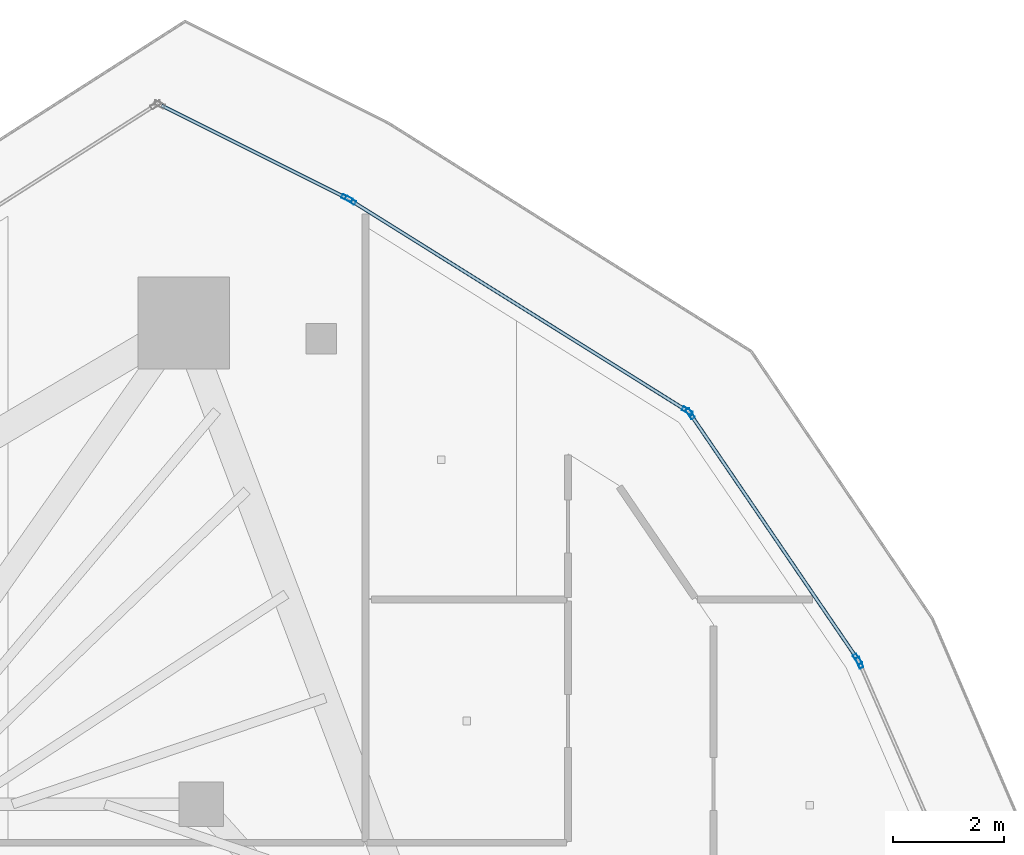
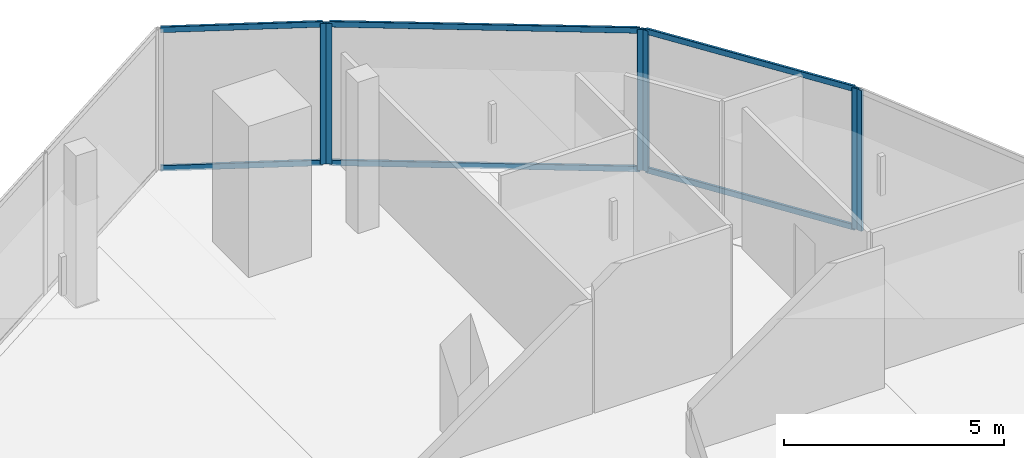
# One storey, part 21 of 34: 12 members, 4 elements without a shape of their own.
"""IFC4 building model written with IfcOpenShell, lengths in metres."""

from ifc_helpers import new_model, si_unit, direction, frame, origin, origin_2d, place, context, subcontext, project, spatial, hollow_rectangle, extrude, material, layer, layer_set, material_profile, profile_set, type_object, element, aggregate, save


model = new_model("IFC4")

# Units and contexts
model_context = context("Model", 3, precision=1e-05, world=origin(), true_north=direction((0.0, 1.0)))
body_context = subcontext(model_context, "Body", "Model", "MODEL_VIEW")
ifc_project = project(units=[si_unit("LENGTHUNIT", "METRE"), si_unit("AREAUNIT", "SQUARE_METRE"), si_unit("VOLUMEUNIT", "CUBIC_METRE"), si_unit("PLANEANGLEUNIT", "RADIAN"), si_unit("MASSUNIT", "GRAM", prefix="KILO")], contexts=[model_context])

# Site, building, storey
site_placement = place(None, origin())
site = spatial("IfcSite", under=ifc_project, at=site_placement, CompositionType="ELEMENT")
building_placement = place(site_placement, origin())
building = spatial("IfcBuilding", under=site, at=building_placement, Name="Qorvath Tower", CompositionType="ELEMENT")
storey_placement = place(building_placement, frame((0.0, 0.0, 268.199951171875)))
storey = spatial("IfcBuildingStorey", under=building, at=storey_placement, Name="L62", CompositionType="ELEMENT", Elevation=268.199951171875)

# Curtain wall, member
ifc_material_1 = material(Name="Anodised aluminium and triple low-E glass", Category="aluminium")
ifc_layer = layer(ifc_material_1, 0.179931640625)
ifc_layer_set = layer_set([ifc_layer], Name="CW-SYS-4")
curtain_wall_type = type_object("IfcCurtainWallType", Name="CW-SYS-4", PredefinedType="NOTDEFINED", material=ifc_layer_set)
curtain_wall_1_placement = place(storey_placement, origin())
curtain_wall_1 = element("IfcCurtainWall", 1, at=curtain_wall_1_placement, inside=storey, type_object=curtain_wall_type, Name="Curtain Wall CW-4 CW-T-L62-12.1", PredefinedType="NOTDEFINED")
ifc_material_2 = material(Name="Anodised aluminium 6063-T6", Category="aluminium")
ifc_material_profile_1 = material_profile(ifc_material_2, hollow_rectangle(XDim=0.074951171875, YDim=0.199951171875, WallThickness=0.00390625, InnerFilletRadius=0.00390625, OuterFilletRadius=0.008056640625, at=origin_2d()), Name="CWM 200x75")
ifc_profile_set_1 = profile_set([ifc_material_profile_1], Name="Anodised aluminium 6063-T6")
member_type_1 = type_object("IfcMemberType", Name="CWM-200", PredefinedType="MULLION", material=ifc_profile_set_1)
member_1_placement = place(storey_placement, frame((-5.365966796875, 13.994384765625, 0.0), z_axis=(0.0, 0.0, 1.0), x_axis=(-0.91655883173, -0.399899872441, 0.0)))
member_1 = element("IfcMember", 2, at=member_1_placement, type_object=member_type_1, Name="CW-4 mullion 2", PredefinedType="MULLION", context=body_context, shape_type="SweptSolid", body=[
    extrude(hollow_rectangle(XDim=0.074951171875, YDim=0.199951171875, WallThickness=0.00390625, InnerFilletRadius=0.00390625, OuterFilletRadius=0.008056640625, at=origin_2d()), origin(), (0.0, 0.0, 1.0), 3.91015625),
])
aggregate(curtain_wall_1, [member_1])

# Curtain wall, members
curtain_wall_2_placement = place(storey_placement, origin())
curtain_wall_2 = element("IfcCurtainWall", 3, at=curtain_wall_2_placement, inside=storey, type_object=curtain_wall_type, Name="Curtain Wall CW-4 CW-T-L62-13.1", PredefinedType="NOTDEFINED")
member_2_placement = place(storey_placement, frame((-5.402099609375, 14.059814453125, 0.0), z_axis=(0.0, 0.0, 1.0), x_axis=(-0.826318799643, -0.56320266455, 0.0)))
member_2 = element("IfcMember", 4, at=member_2_placement, type_object=member_type_1, Name="CW-4 mullion 1", PredefinedType="MULLION", context=body_context, shape_type="SweptSolid", body=[
    extrude(hollow_rectangle(XDim=0.074951171875, YDim=0.199951171875, WallThickness=0.00390625, InnerFilletRadius=0.00390625, OuterFilletRadius=0.008056640625, at=origin_2d()), origin(), (0.0, 0.0, 1.0), 3.91015625),
])
member_3_placement = place(storey_placement, frame((-8.407958984375, 18.47021484375, 0.0), z_axis=(0.0, 0.0, 1.0), x_axis=(-0.826318799643, -0.56320266455, 0.0)))
member_3 = element("IfcMember", 5, at=member_3_placement, type_object=member_type_1, Name="CW-4 mullion 2", PredefinedType="MULLION", context=body_context, shape_type="SweptSolid", body=[
    extrude(hollow_rectangle(XDim=0.074951171875, YDim=0.199951171875, WallThickness=0.00390625, InnerFilletRadius=0.00390625, OuterFilletRadius=0.008056640625, at=origin_2d()), origin(), (0.0, 0.0, 1.0), 3.91015625),
])

curtain_wall_3_placement = place(storey_placement, origin())
curtain_wall_3 = element("IfcCurtainWall", 6, at=curtain_wall_3_placement, inside=storey, type_object=curtain_wall_type, Name="Curtain Wall CW-4 CW-T-L62-14.1", PredefinedType="NOTDEFINED")
member_4_placement = place(storey_placement, frame((-8.4609375, 18.52099609375, 0.0), z_axis=(0.0, 0.0, 1.0), x_axis=(-0.530362503391, -0.84777096848, 0.0)))
member_4 = element("IfcMember", 7, at=member_4_placement, type_object=member_type_1, Name="CW-4 mullion 1", PredefinedType="MULLION", context=body_context, shape_type="SweptSolid", body=[
    extrude(hollow_rectangle(XDim=0.074951171875, YDim=0.199951171875, WallThickness=0.00390625, InnerFilletRadius=0.00390625, OuterFilletRadius=0.008056640625, at=origin_2d()), origin(), (0.0, 0.0, 1.0), 3.91015625),
])
member_5_placement = place(storey_placement, frame((-14.51708984375, 22.309814453125, 0.0), z_axis=(0.0, 0.0, 1.0), x_axis=(-0.530362503391, -0.84777096848, 0.0)))
member_5 = element("IfcMember", 8, at=member_5_placement, type_object=member_type_1, Name="CW-4 mullion 2", PredefinedType="MULLION", context=body_context, shape_type="SweptSolid", body=[
    extrude(hollow_rectangle(XDim=0.074951171875, YDim=0.199951171875, WallThickness=0.00390625, InnerFilletRadius=0.00390625, OuterFilletRadius=0.008056640625, at=origin_2d()), origin(), (0.0, 0.0, 1.0), 3.91015625),
])

# Curtain wall, member
curtain_wall_4_placement = place(storey_placement, origin())
curtain_wall_4 = element("IfcCurtainWall", 9, at=curtain_wall_4_placement, inside=storey, type_object=curtain_wall_type, Name="Curtain Wall CW-4 CW-T-L62-15.1", PredefinedType="NOTDEFINED")
member_6_placement = place(storey_placement, frame((-14.582275390625, 22.346435546875, 0.0), z_axis=(0.0, 0.0, 1.0), x_axis=(-0.447244838324, -0.894411568906, 0.0)))
member_6 = element("IfcMember", 10, at=member_6_placement, type_object=member_type_1, Name="CW-4 mullion 1", PredefinedType="MULLION", context=body_context, shape_type="SweptSolid", body=[
    extrude(hollow_rectangle(XDim=0.074951171875, YDim=0.199951171875, WallThickness=0.00390625, InnerFilletRadius=0.00390625, OuterFilletRadius=0.008056640625, at=origin_2d()), origin(), (0.0, 0.0, 1.0), 3.91015625),
])

# Member
ifc_material_3 = material(Name="Anodised aluminium 6063-T6", Category="aluminium")
ifc_material_profile_2 = material_profile(ifc_material_3, hollow_rectangle(XDim=0.06494140625, YDim=0.159912109375, WallThickness=0.00341796875, InnerFilletRadius=0.00341796875, OuterFilletRadius=0.007080078125, at=origin_2d()), Name="CWT 160x65")
ifc_profile_set_2 = profile_set([ifc_material_profile_2], Name="Anodised aluminium 6063-T6")
member_type_2 = type_object("IfcMemberType", Name="CWT-160", PredefinedType="USERDEFINED", material=ifc_profile_set_2)
member_7_placement = place(storey_placement, frame((-5.423095703125, 14.0908203125, 0.032470703125), z_axis=(-0.563214455362, 0.826310763134, 0.0), x_axis=(-0.826310763134, -0.563214455362, 0.0)))
member_7 = element("IfcMember", 11, at=member_7_placement, type_object=member_type_2, Name="CW-4 transom 1.1", ObjectType="TRANSOM", PredefinedType="USERDEFINED", context=body_context, shape_type="SweptSolid", body=[
    extrude(hollow_rectangle(XDim=0.06494140625, YDim=0.159912109375, WallThickness=0.00341796875, InnerFilletRadius=0.00341796875, OuterFilletRadius=0.007080078125, at=origin_2d()), origin(), (0.0, 0.0, 1.0), 5.262451171875),
])

member_8_placement = place(storey_placement, frame((-5.423095703125, 14.0908203125, 3.877685546875), z_axis=(-0.563214455362, 0.826310763134, 0.0), x_axis=(-0.826310763134, -0.563214455362, 0.0)))
member_8 = element("IfcMember", 12, at=member_8_placement, type_object=member_type_2, Name="CW-4 transom 1.2", ObjectType="TRANSOM", PredefinedType="USERDEFINED", context=body_context, shape_type="SweptSolid", body=[
    extrude(hollow_rectangle(XDim=0.06494140625, YDim=0.159912109375, WallThickness=0.00341796875, InnerFilletRadius=0.00341796875, OuterFilletRadius=0.007080078125, at=origin_2d()), origin(), (0.0, 0.0, 1.0), 5.262451171875),
])

aggregate(curtain_wall_2, [member_2, member_3, member_7, member_8])

member_9_placement = place(storey_placement, frame((-8.49267578125, 18.541015625, 0.032470703125), z_axis=(-0.847775079583, 0.53035593184, 0.0), x_axis=(-0.53035593184, -0.847775079583, 0.0)))
member_9 = element("IfcMember", 13, at=member_9_placement, type_object=member_type_2, Name="CW-4 transom 1.1", ObjectType="TRANSOM", PredefinedType="USERDEFINED", context=body_context, shape_type="SweptSolid", body=[
    extrude(hollow_rectangle(XDim=0.06494140625, YDim=0.159912109375, WallThickness=0.00341796875, InnerFilletRadius=0.00341796875, OuterFilletRadius=0.007080078125, at=origin_2d()), origin(), (0.0, 0.0, 1.0), 7.068359375),
])

member_10_placement = place(storey_placement, frame((-8.49267578125, 18.541015625, 3.877685546875), z_axis=(-0.847775079583, 0.53035593184, 0.0), x_axis=(-0.53035593184, -0.847775079583, 0.0)))
member_10 = element("IfcMember", 14, at=member_10_placement, type_object=member_type_2, Name="CW-4 transom 1.2", ObjectType="TRANSOM", PredefinedType="USERDEFINED", context=body_context, shape_type="SweptSolid", body=[
    extrude(hollow_rectangle(XDim=0.06494140625, YDim=0.159912109375, WallThickness=0.00341796875, InnerFilletRadius=0.00341796875, OuterFilletRadius=0.007080078125, at=origin_2d()), origin(), (0.0, 0.0, 1.0), 7.068359375),
])

aggregate(curtain_wall_3, [member_4, member_5, member_9, member_10])

member_11_placement = place(storey_placement, frame((-14.615966796875, 22.363037109375, 0.032470703125), z_axis=(-0.89438749866, 0.447292971373, 0.0), x_axis=(-0.447292971373, -0.89438749866, 0.0)))
member_11 = element("IfcMember", 15, at=member_11_placement, type_object=member_type_2, Name="CW-4 transom 1.1", ObjectType="TRANSOM", PredefinedType="USERDEFINED", context=body_context, shape_type="SweptSolid", body=[
    extrude(hollow_rectangle(XDim=0.06494140625, YDim=0.159912109375, WallThickness=0.00341796875, InnerFilletRadius=0.00341796875, OuterFilletRadius=0.007080078125, at=origin_2d()), origin(), (0.0, 0.0, 1.0), 3.69091796875),
])

member_12_placement = place(storey_placement, frame((-14.615966796875, 22.363037109375, 3.877685546875), z_axis=(-0.89438749866, 0.447292971373, 0.0), x_axis=(-0.447292971373, -0.89438749866, 0.0)))
member_12 = element("IfcMember", 16, at=member_12_placement, type_object=member_type_2, Name="CW-4 transom 1.2", ObjectType="TRANSOM", PredefinedType="USERDEFINED", context=body_context, shape_type="SweptSolid", body=[
    extrude(hollow_rectangle(XDim=0.06494140625, YDim=0.159912109375, WallThickness=0.00341796875, InnerFilletRadius=0.00341796875, OuterFilletRadius=0.007080078125, at=origin_2d()), origin(), (0.0, 0.0, 1.0), 3.69091796875),
])

aggregate(curtain_wall_4, [member_6, member_11, member_12])

save(model, "model.ifc")
